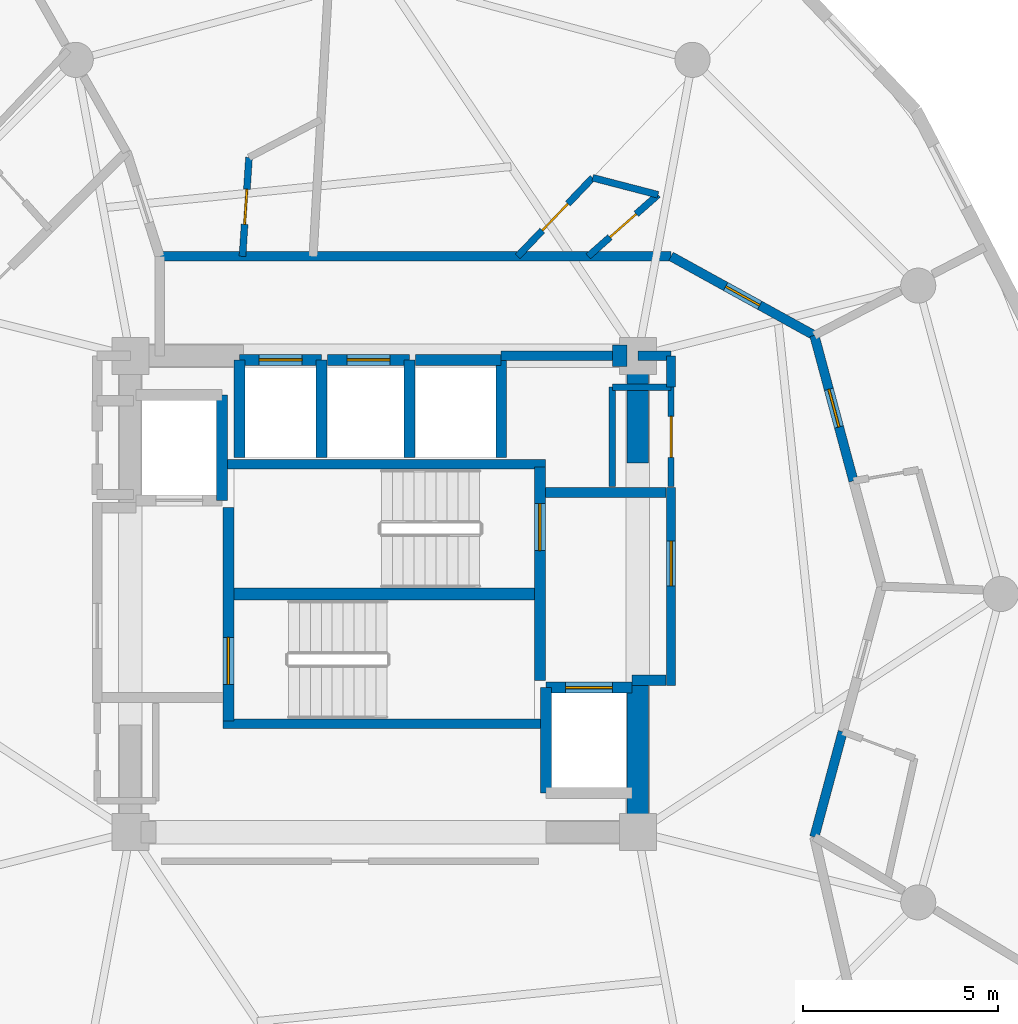
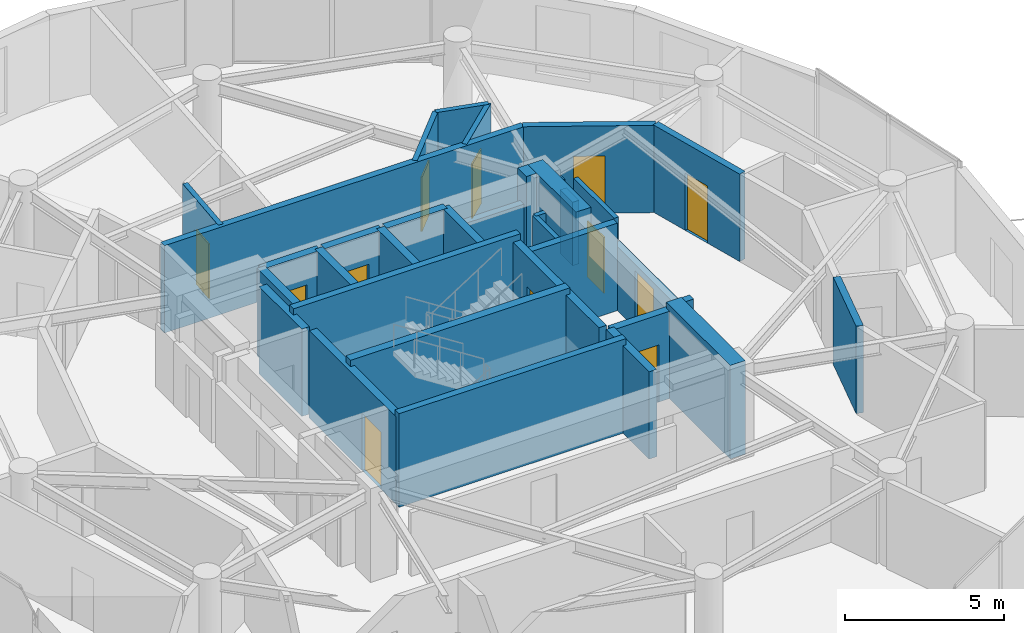
# One storey, part 18 of 21: 35 walls, 12 doors, 12 openings.
"""IFC4 building model written with IfcOpenShell, lengths in metres."""

from ifc_helpers import new_model, si_unit, direction, frame, frame_2d, origin, place, context, subcontext, project, spatial, rectangle, extrude, material, layer, layer_set, type_object, element, fill, save


model = new_model("IFC4")

# Units and contexts
model_context = context("Model", 3, precision=1e-05, world=origin(), true_north=direction((0.0, 1.0)))
body_context = subcontext(model_context, "Body", "Model", "MODEL_VIEW")
ifc_project = project(units=[si_unit("LENGTHUNIT", "METRE"), si_unit("AREAUNIT", "SQUARE_METRE"), si_unit("VOLUMEUNIT", "CUBIC_METRE"), si_unit("PLANEANGLEUNIT", "RADIAN"), si_unit("MASSUNIT", "GRAM", prefix="KILO")], contexts=[model_context])

# Site, building, storey
site_placement = place(None, origin())
site = spatial("IfcSite", under=ifc_project, at=site_placement, CompositionType="ELEMENT")
building_placement = place(site_placement, origin())
building = spatial("IfcBuilding", under=site, at=building_placement, Name="Solvirekh Grand Hotel", CompositionType="ELEMENT")
storey_placement = place(building_placement, frame((0.0, 0.0, 220.0)))
storey = spatial("IfcBuildingStorey", under=building, at=storey_placement, Name="L57", CompositionType="ELEMENT", Elevation=220.0)

# Walls
ifc_material_1 = material(Name="Concrete C50/60", Category="concrete")
ifc_layer_1 = layer(ifc_material_1, 0.35009765625)
ifc_layer_set_1 = layer_set([ifc_layer_1], Name="Concrete C50/60")
wall_type_1 = type_object("IfcWallType", Name="CoreDivWall_RC350", PredefinedType="SOLIDWALL", material=ifc_layer_set_1)
for number, where, z_axis, x_axis, name in (
    (1, (-4.1298828125, -3.324951171875, 0.0), (0.0, 0.0, 1.0), (1.0, 0.0, 0.0), "L57 core stair box wall ST-S"),
    (2, (-4.1298828125, 3.324951171875, 0.0), (0.0, 0.0, 1.0), (1.0, 0.0, 0.0), "L57 core stair box wall ST-N"),
):
    element("IfcWall", number, at=place(storey_placement, frame(where, z_axis=z_axis, x_axis=x_axis)), inside=storey, type_object=wall_type_1, Name=name, PredefinedType="SOLIDWALL", context=body_context, shape_type="SweptSolid", body=[
        extrude(rectangle(XDim=8.259765625, YDim=0.25, at=frame_2d((4.1298828125, 0.0))), origin(), (0.0, 0.0, 1.0), 3.60009765625),
    ])

# Wall, opening, door
ifc_material_2 = material(Name="Concrete C40/50", Category="concrete")
ifc_layer_2 = layer(ifc_material_2, 0.280029296875)
ifc_layer_set_2 = layer_set([ifc_layer_2], Name="Concrete C40/50")
wall_type_2 = type_object("IfcWallType", Name="CoreShaftWall_RC280", PredefinedType="SOLIDWALL", material=ifc_layer_set_2)
wall_1_placement = place(storey_placement, frame((-1.60009765625, 6.0, 0.0), z_axis=(0.0, 0.0, 1.0), x_axis=(-1.0, 0.0, 0.0)))
wall_1 = element("IfcWall", 3, at=wall_1_placement, inside=storey, type_object=wall_type_2, Name="L57 HP-1 hoistway N wall", PredefinedType="SOLIDWALL", context=body_context, shape_type="SweptSolid", body=[
    extrude(rectangle(XDim=2.099853515625, YDim=0.280029296875, at=frame_2d((1.0498046875, 0.0))), origin(), (0.0, 0.0, 1.0), 3.360107421875),
])
opening_1_placement = place(wall_1_placement, frame((0.5, 0.0, 0.0)))
opening_1 = element("IfcOpeningElement", 4, at=opening_1_placement, cuts=wall_1, Name="Opening LD01", PredefinedType="OPENING", context=body_context, shape_type="SweptSolid", body=[
    extrude(rectangle(XDim=1.10009765625, YDim=2.199951171875, at=frame_2d((0.550048828125, 1.10009765625))), frame((0.0, 0.14990234375, 0.0), z_axis=(0.0, -1.0, 0.0), x_axis=(1.0, 0.0, 0.0)), (0.0, 0.0, 1.0), 0.300048828125),
])
ifc_material_3 = material(Name="Fire-Rated Steel Door Assembly", Category="steel")
door_type_1 = type_object("IfcDoorType", Name="Door_LiftLanding_1100X2200", OperationType="SLIDING_TO_LEFT", PredefinedType="DOOR", material=ifc_material_3)
door_1_placement = place(opening_1_placement, origin())
door_1 = element("IfcDoor", 5, at=door_1_placement, inside=storey, type_object=door_type_1, Name="L57 HP-1 sliding lift landing door", OperationType="SLIDING_TO_LEFT", OverallHeight=2.199951171875, OverallWidth=1.10009765625, PredefinedType="DOOR", context=body_context, shape_type="SweptSolid", body=[
    extrude(rectangle(XDim=1.10009765625, YDim=2.199951171875, at=frame_2d((0.550048828125, 1.10009765625))), frame((0.0, 0.02490234375, 0.0), z_axis=(0.0, -1.0, 0.0), x_axis=(1.0, 0.0, 0.0)), (0.0, 0.0, 1.0), 0.050048828125),
])
fill(opening_1, door_1)

# Walls
for number, where, z_axis, x_axis, name in (
    (6, (-3.699951171875, 6.0, 0.0), (0.0, 0.0, 1.0), (0.0, -1.0, 0.0), "L57 HP-1 hoistway W wall"),
    (7, (-1.60009765625, 3.5, 0.0), (0.0, 0.0, 1.0), (0.0, 1.0, 0.0), "L57 HP-1 hoistway E wall"),
):
    element("IfcWall", number, at=place(storey_placement, frame(where, z_axis=z_axis, x_axis=x_axis)), inside=storey, type_object=wall_type_2, Name=name, PredefinedType="SOLIDWALL", context=body_context, shape_type="SweptSolid", body=[
        extrude(rectangle(XDim=2.5, YDim=0.280029296875, at=frame_2d((1.25, 0.0))), origin(), (0.0, 0.0, 1.0), 3.360107421875),
    ])

# Wall, opening, door
wall_2_placement = place(storey_placement, frame((0.64990234375, 6.0, 0.0), z_axis=(0.0, 0.0, 1.0), x_axis=(-1.0, 0.0, 0.0)))
wall_2 = element("IfcWall", 8, at=wall_2_placement, inside=storey, type_object=wall_type_2, Name="L57 HP-2 hoistway N wall", PredefinedType="SOLIDWALL", context=body_context, shape_type="SweptSolid", body=[
    extrude(rectangle(XDim=2.099853515625, YDim=0.280029296875, at=frame_2d((1.0498046875, 0.0))), origin(), (0.0, 0.0, 1.0), 3.360107421875),
])
opening_2_placement = place(wall_2_placement, frame((0.5, 0.0, 0.0)))
opening_2 = element("IfcOpeningElement", 9, at=opening_2_placement, cuts=wall_2, Name="Opening LD01", PredefinedType="OPENING", context=body_context, shape_type="SweptSolid", body=[
    extrude(rectangle(XDim=1.10009765625, YDim=2.199951171875, at=frame_2d((0.550048828125, 1.10009765625))), frame((0.0, 0.14990234375, 0.0), z_axis=(0.0, -1.0, 0.0), x_axis=(1.0, 0.0, 0.0)), (0.0, 0.0, 1.0), 0.300048828125),
])
door_2_placement = place(opening_2_placement, origin())
door_2 = element("IfcDoor", 10, at=door_2_placement, inside=storey, type_object=door_type_1, Name="L57 HP-2 sliding lift landing door", OperationType="SLIDING_TO_LEFT", OverallHeight=2.199951171875, OverallWidth=1.10009765625, PredefinedType="DOOR", context=body_context, shape_type="SweptSolid", body=[
    extrude(rectangle(XDim=1.10009765625, YDim=2.199951171875, at=frame_2d((0.550048828125, 1.10009765625))), frame((0.0, 0.02490234375, 0.0), z_axis=(0.0, -1.0, 0.0), x_axis=(1.0, 0.0, 0.0)), (0.0, 0.0, 1.0), 0.050048828125),
])
fill(opening_2, door_2)

# Walls
wall_3_placement = place(storey_placement, frame((0.64990234375, 3.5, 0.0), z_axis=(0.0, 0.0, 1.0), x_axis=(0.0, 1.0, 0.0)))
element("IfcWall", 11, at=wall_3_placement, inside=storey, type_object=wall_type_2, Name="L57 HP-2 hoistway E wall", PredefinedType="SOLIDWALL", context=body_context, shape_type="SweptSolid", body=[
    extrude(rectangle(XDim=2.5, YDim=0.280029296875, at=frame_2d((1.25, 0.0))), origin(), (0.0, 0.0, 1.0), 3.360107421875),
])
wall_4_placement = place(storey_placement, frame((3.0, 6.0, 0.0), z_axis=(0.0, 0.0, 1.0), x_axis=(-1.0, 0.0, 0.0)))
element("IfcWall", 12, at=wall_4_placement, inside=storey, type_object=wall_type_2, Name="L57 EX-1 hoistway N wall", PredefinedType="SOLIDWALL", context=body_context, shape_type="SweptSolid", body=[
    extrude(rectangle(XDim=2.199951171875, YDim=0.280029296875, at=frame_2d((1.10009765625, 0.0))), origin(), (0.0, 0.0, 1.0), 3.360107421875),
])
wall_5_placement = place(storey_placement, frame((3.0, 3.5, 0.0), z_axis=(0.0, 0.0, 1.0), x_axis=(0.0, 1.0, 0.0)))
element("IfcWall", 13, at=wall_5_placement, inside=storey, type_object=wall_type_2, Name="L57 EX-1 hoistway E wall", PredefinedType="SOLIDWALL", context=body_context, shape_type="SweptSolid", body=[
    extrude(rectangle(XDim=2.5, YDim=0.280029296875, at=frame_2d((1.25, 0.0))), origin(), (0.0, 0.0, 1.0), 3.360107421875),
])
wall_6_placement = place(storey_placement, frame((-4.14990234375, 2.39990234375, 0.0), z_axis=(0.0, 0.0, 1.0), x_axis=(0.0, 1.0, 0.0)))
element("IfcWall", 14, at=wall_6_placement, inside=storey, type_object=wall_type_2, Name="L57 FL-1 hoistway E wall", PredefinedType="SOLIDWALL", context=body_context, shape_type="SweptSolid", body=[
    extrude(rectangle(XDim=2.7001953125, YDim=0.280029296875, at=frame_2d((1.35009765625, 0.0))), origin(), (0.0, 0.0, 1.0), 3.360107421875),
])

# Wall, opening, door
wall_7_placement = place(storey_placement, frame((6.35009765625, -2.39990234375, 0.0), z_axis=(0.0, 0.0, 1.0), x_axis=(-1.0, 0.0, 0.0)))
wall_7 = element("IfcWall", 15, at=wall_7_placement, inside=storey, type_object=wall_type_2, Name="L57 FL-2 hoistway N wall", PredefinedType="SOLIDWALL", context=body_context, shape_type="SweptSolid", body=[
    extrude(rectangle(XDim=2.2001953125, YDim=0.280029296875, at=frame_2d((1.10009765625, 0.0))), origin(), (0.0, 0.0, 1.0), 3.360107421875),
])
opening_3_placement = place(wall_7_placement, frame((0.5, 0.0, 0.0)))
opening_3 = element("IfcOpeningElement", 16, at=opening_3_placement, cuts=wall_7, Name="Opening LD02", PredefinedType="OPENING", context=body_context, shape_type="SweptSolid", body=[
    extrude(rectangle(XDim=1.199951171875, YDim=2.199951171875, at=frame_2d((0.60009765625, 1.10009765625))), frame((0.0, 0.14990234375, 0.0), z_axis=(0.0, -1.0, 0.0), x_axis=(1.0, 0.0, 0.0)), (0.0, 0.0, 1.0), 0.300048828125),
])
door_type_2 = type_object("IfcDoorType", Name="Door_LiftFF_1200X2200", OperationType="SLIDING_TO_LEFT", PredefinedType="DOOR", material=ifc_material_3)
door_3_placement = place(opening_3_placement, origin())
door_3 = element("IfcDoor", 17, at=door_3_placement, inside=storey, type_object=door_type_2, Name="L57 FL-2 sliding lift landing door", OperationType="SLIDING_TO_LEFT", OverallHeight=2.199951171875, OverallWidth=1.199951171875, PredefinedType="DOOR", context=body_context, shape_type="SweptSolid", body=[
    extrude(rectangle(XDim=1.199951171875, YDim=2.199951171875, at=frame_2d((0.60009765625, 1.10009765625))), frame((0.0, 0.02490234375, 0.0), z_axis=(0.0, -1.0, 0.0), x_axis=(1.0, 0.0, 0.0)), (0.0, 0.0, 1.0), 0.050048828125),
])
fill(opening_3, door_3)

# Wall
wall_8_placement = place(storey_placement, frame((4.14990234375, -2.39990234375, 0.0), z_axis=(0.0, 0.0, 1.0), x_axis=(0.0, -1.0, 0.0)))
element("IfcWall", 18, at=wall_8_placement, inside=storey, type_object=wall_type_2, Name="L57 FL-2 hoistway W wall", PredefinedType="SOLIDWALL", context=body_context, shape_type="SweptSolid", body=[
    extrude(rectangle(XDim=2.7001953125, YDim=0.280029296875, at=frame_2d((1.35009765625, 0.0))), origin(), (0.0, 0.0, 1.0), 3.360107421875),
])

# Wall, opening, door
wall_9_placement = place(storey_placement, frame((-3.989990234375, -3.25, 0.0), z_axis=(0.0, 0.0, 1.0), x_axis=(0.0, 1.0, 0.0)))
wall_9 = element("IfcWall", 19, at=wall_9_placement, inside=storey, type_object=wall_type_2, Name="L57 west stair landing enclosure wall", PredefinedType="SOLIDWALL", context=body_context, shape_type="SweptSolid", body=[
    extrude(rectangle(XDim=5.4599609375, YDim=0.280029296875, at=frame_2d((2.72998046875, 0.0))), origin(), (0.0, 0.0, 1.0), 3.360107421875),
])
opening_4_placement = place(wall_9_placement, frame((0.93701171875, 0.0, 0.0)))
opening_4 = element("IfcOpeningElement", 20, at=opening_4_placement, cuts=wall_9, Name="Opening D05", PredefinedType="OPENING", context=body_context, shape_type="SweptSolid", body=[
    extrude(rectangle(XDim=1.199951171875, YDim=2.199951171875, at=frame_2d((0.60009765625, 1.10009765625))), frame((0.0, 0.14990234375, 0.0), z_axis=(0.0, -1.0, 0.0), x_axis=(1.0, 0.0, 0.0)), (0.0, 0.0, 1.0), 0.300048828125),
])
door_type_3 = type_object("IfcDoorType", Name="Door_StairCore_1200X2200", OperationType="NOTDEFINED", PredefinedType="DOOR", material=ifc_material_3)
door_4_placement = place(opening_4_placement, origin())
door_4 = element("IfcDoor", 21, at=door_4_placement, inside=storey, type_object=door_type_3, Name="L57 exit stair ST-1 fire door", OperationType="SINGLE_SWING_RIGHT", OverallHeight=2.199951171875, OverallWidth=1.199951171875, PredefinedType="DOOR", context=body_context, shape_type="SweptSolid", body=[
    extrude(rectangle(XDim=1.199951171875, YDim=2.199951171875, at=frame_2d((0.60009765625, 1.10009765625))), frame((0.0, 0.02490234375, 0.0), z_axis=(0.0, -1.0, 0.0), x_axis=(1.0, 0.0, 0.0)), (0.0, 0.0, 1.0), 0.050048828125),
])
fill(opening_4, door_4)

wall_10_placement = place(storey_placement, frame((3.989990234375, -2.2099609375, 0.0), z_axis=(0.0, 0.0, 1.0), x_axis=(0.0, 1.0, 0.0)))
wall_10 = element("IfcWall", 22, at=wall_10_placement, inside=storey, type_object=wall_type_2, Name="L57 east stair landing enclosure wall", PredefinedType="SOLIDWALL", context=body_context, shape_type="SweptSolid", body=[
    extrude(rectangle(XDim=5.4599609375, YDim=0.280029296875, at=frame_2d((2.72998046875, 0.0))), origin(), (0.0, 0.0, 1.0), 3.360107421875),
])
opening_5_placement = place(wall_10_placement, frame((3.322998046875, 0.0, 0.0)))
opening_5 = element("IfcOpeningElement", 23, at=opening_5_placement, cuts=wall_10, Name="Opening D05", PredefinedType="OPENING", context=body_context, shape_type="SweptSolid", body=[
    extrude(rectangle(XDim=1.199951171875, YDim=2.199951171875, at=frame_2d((0.60009765625, 1.10009765625))), frame((0.0, 0.14990234375, 0.0), z_axis=(0.0, -1.0, 0.0), x_axis=(1.0, 0.0, 0.0)), (0.0, 0.0, 1.0), 0.300048828125),
])
door_5_placement = place(opening_5_placement, origin())
door_5 = element("IfcDoor", 24, at=door_5_placement, inside=storey, type_object=door_type_3, Name="L57 exit stair ST-2 fire door", OperationType="SINGLE_SWING_LEFT", OverallHeight=2.199951171875, OverallWidth=1.199951171875, PredefinedType="DOOR", context=body_context, shape_type="SweptSolid", body=[
    extrude(rectangle(XDim=1.199951171875, YDim=2.199951171875, at=frame_2d((0.60009765625, 1.10009765625))), frame((0.0, 0.02490234375, 0.0), z_axis=(0.0, -1.0, 0.0), x_axis=(1.0, 0.0, 0.0)), (0.0, 0.0, 1.0), 0.050048828125),
])
fill(opening_5, door_5)

# Walls
ifc_layer_3 = layer(ifc_material_1, 0.550048828125)
ifc_layer_set_3 = layer_set([ifc_layer_3], Name="Concrete C50/60")
wall_type_3 = type_object("IfcWallType", Name="CoreWall_RC550", PredefinedType="SHEAR", material=ifc_layer_set_3)
wall_11_placement = place(storey_placement, frame((-3.989990234375, 0.0, 0.0), z_axis=(0.0, 0.0, 1.0), x_axis=(1.0, 0.0, 0.0)))
element("IfcWall", 25, at=wall_11_placement, inside=storey, type_object=wall_type_3, Name="L57 central stair-spine shear wall", PredefinedType="SHEAR", context=body_context, shape_type="SweptSolid", body=[
    extrude(rectangle(XDim=7.97998046875, YDim=0.300048828125, at=frame_2d((3.989990234375, 0.0))), origin(), (0.0, 0.0, 1.0), 3.60009765625),
])
wall_12_placement = place(storey_placement, frame((5.85009765625, 6.10009765625, 0.0), z_axis=(0.0, 0.0, 1.0), x_axis=(1.0, 0.0, 0.0)))
element("IfcWall", 26, at=wall_12_placement, inside=storey, type_object=wall_type_3, Name="L57 core corner shear wall NE-N", PredefinedType="SHEAR", context=body_context, shape_type="SweptSolid", body=[
    extrude(rectangle(XDim=0.375, YDim=0.550048828125, at=frame_2d((0.1875, 0.0))), origin(), (0.0, 0.0, 1.0), 3.60009765625),
])
wall_13_placement = place(storey_placement, frame((6.5, -6.375, 0.0), z_axis=(0.0, 0.0, 1.0), x_axis=(0.0, 1.0, 0.0)))
element("IfcWall", 27, at=wall_13_placement, inside=storey, type_object=wall_type_3, Name="L57 core corner shear wall ES-E", PredefinedType="SHEAR", context=body_context, shape_type="SweptSolid", body=[
    extrude(rectangle(XDim=4.02490234375, YDim=0.550048828125, at=frame_2d((2.012451171875, 0.0))), origin(), (0.0, 0.0, 1.0), 3.60009765625),
])
wall_14_placement = place(storey_placement, frame((6.5, 3.35009765625, 0.0), z_axis=(0.0, 0.0, 1.0), x_axis=(0.0, 1.0, 0.0)))
element("IfcWall", 28, at=wall_14_placement, inside=storey, type_object=wall_type_3, Name="L57 core corner shear wall EN-E", PredefinedType="SHEAR", context=body_context, shape_type="SweptSolid", body=[
    extrude(rectangle(XDim=3.02490234375, YDim=0.550048828125, at=frame_2d((1.512451171875, 0.0))), origin(), (0.0, 0.0, 1.0), 3.60009765625),
])

# Wall, opening, door
ifc_material_4 = material(Name="Acoustic Gypsum Partition Assembly")
ifc_layer_4 = layer(ifc_material_4, 0.1650390625)
ifc_layer_set_4 = layer_set([ifc_layer_4], Name="Acoustic Gypsum Partition Assembly")
wall_type_4 = type_object("IfcWallType", Name="Part_BOH_165", PredefinedType="PARTITIONING", material=ifc_layer_set_4)
wall_15_placement = place(storey_placement, frame((7.35009765625, 2.75, 0.0), z_axis=(0.0, 0.0, 1.0), x_axis=(0.0, 1.0, 0.0)))
wall_15 = element("IfcWall", 29, at=wall_15_placement, inside=storey, type_object=wall_type_4, Name="L57 L57 Telecom Distribution Room wall 2", PredefinedType="PARTITIONING", context=body_context, shape_type="SweptSolid", body=[
    extrude(rectangle(XDim=2.550048828125, YDim=0.1650390625, at=frame_2d((1.27490234375, 0.0))), origin(), (0.0, 0.0, 1.0), 3.360107421875),
])
opening_6_placement = place(wall_15_placement, frame((0.75, 0.0, 0.0)))
opening_6 = element("IfcOpeningElement", 30, at=opening_6_placement, cuts=wall_15, Name="Opening D12", PredefinedType="OPENING", context=body_context, shape_type="SweptSolid", body=[
    extrude(rectangle(XDim=1.050048828125, YDim=2.14990234375, at=frame_2d((0.52490234375, 1.074951171875))), frame((0.0, 0.092529296875, 0.0), z_axis=(0.0, -1.0, 0.0), x_axis=(1.0, 0.0, 0.0)), (0.0, 0.0, 1.0), 0.18505859375),
])
door_type_4 = type_object("IfcDoorType", Name="Door_PlantBOH_1050X2150", OperationType="NOTDEFINED", PredefinedType="DOOR", material=ifc_material_3)
door_6_placement = place(opening_6_placement, origin())
door_6 = element("IfcDoor", 31, at=door_6_placement, inside=storey, type_object=door_type_4, Name="L57 L57 Telecom Distribution Room door", OperationType="SINGLE_SWING_RIGHT", OverallHeight=2.14990234375, OverallWidth=1.050048828125, PredefinedType="DOOR", context=body_context, shape_type="SweptSolid", body=[
    extrude(rectangle(XDim=1.050048828125, YDim=2.14990234375, at=frame_2d((0.52490234375, 1.074951171875))), frame((0.0, 0.02490234375, 0.0), z_axis=(0.0, -1.0, 0.0), x_axis=(1.0, 0.0, 0.0)), (0.0, 0.0, 1.0), 0.050048828125),
])
fill(opening_6, door_6)

# Walls
wall_16_placement = place(storey_placement, frame((7.35009765625, 5.300048828125, 0.0), z_axis=(0.0, 0.0, 1.0), x_axis=(-1.0, 0.0, 0.0)))
element("IfcWall", 32, at=wall_16_placement, inside=storey, type_object=wall_type_4, Name="L57 L57 Telecom Distribution Room wall 3", PredefinedType="PARTITIONING", context=body_context, shape_type="SweptSolid", body=[
    extrude(rectangle(XDim=1.5, YDim=0.1650390625, at=frame_2d((0.75, 0.0))), origin(), (0.0, 0.0, 1.0), 2.445068359375),
])
wall_17_placement = place(storey_placement, frame((5.85009765625, 5.300048828125, 0.0), z_axis=(0.0, 0.0, 1.0), x_axis=(0.0, -1.0, 0.0)))
element("IfcWall", 33, at=wall_17_placement, inside=storey, type_object=wall_type_4, Name="L57 L57 Telecom Distribution Room wall 4", PredefinedType="PARTITIONING", context=body_context, shape_type="SweptSolid", body=[
    extrude(rectangle(XDim=2.550048828125, YDim=0.1650390625, at=frame_2d((1.27490234375, 0.0))), origin(), (0.0, 0.0, 1.0), 2.445068359375),
])

# Wall, opening, door
ifc_layer_5 = layer(ifc_material_4, 0.239990234375)
ifc_layer_set_5 = layer_set([ifc_layer_5], Name="Acoustic Gypsum Partition Assembly")
wall_type_5 = type_object("IfcWallType", Name="Part_Corridor_240", PredefinedType="PARTITIONING", material=ifc_layer_set_5)
wall_18_placement = place(storey_placement, frame((7.35009765625, -2.340087890625, 0.0), z_axis=(0.0, 0.0, 1.0), x_axis=(0.0, 1.0, 0.0)))
wall_18 = element("IfcWall", 34, at=wall_18_placement, inside=storey, type_object=wall_type_5, Name="L57 east firefighting lobby smoke screen wall", PredefinedType="PARTITIONING", context=body_context, shape_type="SweptSolid", body=[
    extrude(rectangle(XDim=5.070068359375, YDim=0.239990234375, at=frame_2d((2.53515625, 0.0))), origin(), (0.0, 0.0, 1.0), 2.445068359375),
])
opening_7_placement = place(wall_18_placement, frame((2.548095703125, 0.0, 0.0)))
opening_7 = element("IfcOpeningElement", 35, at=opening_7_placement, cuts=wall_18, Name="Opening D06", PredefinedType="OPENING", context=body_context, shape_type="SweptSolid", body=[
    extrude(rectangle(XDim=1.14990234375, YDim=2.199951171875, at=frame_2d((0.574951171875, 1.10009765625))), frame((0.0, 0.1298828125, 0.0), z_axis=(0.0, -1.0, 0.0), x_axis=(1.0, 0.0, 0.0)), (0.0, 0.0, 1.0), 0.260009765625),
])
door_type_5 = type_object("IfcDoorType", Name="Door_FFLobby_1150X2200", OperationType="NOTDEFINED", PredefinedType="DOOR", material=ifc_material_3)
door_7_placement = place(opening_7_placement, origin())
door_7 = element("IfcDoor", 36, at=door_7_placement, inside=storey, type_object=door_type_5, Name="L57 east firefighting lobby smoke door", OperationType="SINGLE_SWING_LEFT", OverallHeight=2.199951171875, OverallWidth=1.14990234375, PredefinedType="DOOR", context=body_context, shape_type="SweptSolid", body=[
    extrude(rectangle(XDim=1.14990234375, YDim=2.199951171875, at=frame_2d((0.574951171875, 1.10009765625))), frame((0.0, 0.02490234375, 0.0), z_axis=(0.0, -1.0, 0.0), x_axis=(1.0, 0.0, 0.0)), (0.0, 0.0, 1.0), 0.050048828125),
])
fill(opening_7, door_7)

# Walls
wall_19_placement = place(storey_placement, frame((-5.75, 8.64990234375, 0.0), z_axis=(0.0, 0.0, 1.0), x_axis=(1.0, 0.0, 0.0)))
element("IfcWall", 37, at=wall_19_placement, inside=storey, type_object=wall_type_5, Name="L57 north lift lobby enclosure wall", PredefinedType="PARTITIONING", context=body_context, shape_type="SweptSolid", body=[
    extrude(rectangle(XDim=13.10009765625, YDim=0.239990234375, at=frame_2d((6.550048828125, 0.0))), origin(), (0.0, 0.0, 1.0), 3.360107421875),
])
wall_20_placement = place(storey_placement, frame((3.0, 6.10009765625, 0.0), z_axis=(0.0, 0.0, 1.0), x_axis=(1.0, 0.0, 0.0)))
element("IfcWall", 38, at=wall_20_placement, inside=storey, type_object=wall_type_5, Name="L57 north core shaft infill wall", PredefinedType="PARTITIONING", context=body_context, shape_type="SweptSolid", body=[
    extrude(rectangle(XDim=2.85009765625, YDim=0.239990234375, at=frame_2d((1.425048828125, 0.0))), origin(), (0.0, 0.0, 1.0), 2.445068359375),
])
wall_21_placement = place(storey_placement, frame((7.35009765625, 5.300048828125, 0.0), z_axis=(0.0, 0.0, 1.0), x_axis=(0.0, 1.0, 0.0)))
element("IfcWall", 39, at=wall_21_placement, inside=storey, type_object=wall_type_5, Name="L57 NE core cheek closure wall", PredefinedType="PARTITIONING", context=body_context, shape_type="SweptSolid", body=[
    extrude(rectangle(XDim=0.800048828125, YDim=0.239990234375, at=frame_2d((0.39990234375, 0.0))), origin(), (0.0, 0.0, 1.0), 2.445068359375),
])
wall_22_placement = place(storey_placement, frame((6.5, 6.10009765625, 0.0), z_axis=(0.0, 0.0, 1.0), x_axis=(1.0, 0.0, 0.0)))
element("IfcWall", 40, at=wall_22_placement, inside=storey, type_object=wall_type_5, Name="L57 NE core corner tie wall", PredefinedType="PARTITIONING", context=body_context, shape_type="SweptSolid", body=[
    extrude(rectangle(XDim=0.85009765625, YDim=0.239990234375, at=frame_2d((0.425048828125, 0.0))), origin(), (0.0, 0.0, 1.0), 2.876953125),
])

# Wall, opening, door
wall_23_placement = place(storey_placement, frame((7.35009765625, 8.64990234375, 0.0), z_axis=(0.0, 0.0, 1.0), x_axis=(0.875674474849, -0.482901867979, 0.0)))
wall_23 = element("IfcWall", 41, at=wall_23_placement, inside=storey, type_object=wall_type_5, Name="L57 Deluxe Guestroom 5901 entrance wall", PredefinedType="PARTITIONING", context=body_context, shape_type="SweptSolid", body=[
    extrude(rectangle(XDim=4.193115234375, YDim=0.239990234375, at=frame_2d((2.0966796875, 0.0))), origin(), (0.0, 0.0, 1.0), 3.360107421875),
])
opening_8_placement = place(wall_23_placement, frame((1.596923828125, 0.0, 0.0)))
opening_8 = element("IfcOpeningElement", 42, at=opening_8_placement, cuts=wall_23, Name="Opening D07", PredefinedType="OPENING", context=body_context, shape_type="SweptSolid", body=[
    extrude(rectangle(XDim=1.0, YDim=2.199951171875, at=frame_2d((0.5, 1.10009765625))), frame((0.0, 0.1298828125, 0.0), z_axis=(0.0, -1.0, 0.0), x_axis=(1.0, 0.0, 0.0)), (0.0, 0.0, 1.0), 0.260009765625),
])
door_type_6 = type_object("IfcDoorType", Name="Door_GuestEntry_1000X2200", OperationType="NOTDEFINED", PredefinedType="DOOR", material=ifc_material_3)
door_8_placement = place(opening_8_placement, origin())
door_8 = element("IfcDoor", 43, at=door_8_placement, inside=storey, type_object=door_type_6, Name="L57 Deluxe Guestroom 5901 entrance door", OperationType="SINGLE_SWING_LEFT", OverallHeight=2.199951171875, OverallWidth=1.0, PredefinedType="DOOR", context=body_context, shape_type="SweptSolid", body=[
    extrude(rectangle(XDim=1.0, YDim=2.199951171875, at=frame_2d((0.5, 1.10009765625))), frame((0.0, 0.02490234375, 0.0), z_axis=(0.0, -1.0, 0.0), x_axis=(1.0, 0.0, 0.0)), (0.0, 0.0, 1.0), 0.050048828125),
])
fill(opening_8, door_8)

# Wall
wall_24_placement = place(storey_placement, frame((11.02197265625, -6.22509765625, 0.0), z_axis=(0.0, 0.0, 1.0), x_axis=(0.259760468719, 0.965673080753, 0.0)))
element("IfcWall", 44, at=wall_24_placement, inside=storey, type_object=wall_type_5, Name="L57 En-suite Bathroom 5904 corridor backing wall", PredefinedType="PARTITIONING", context=body_context, shape_type="SweptSolid", body=[
    extrude(rectangle(XDim=2.795166015625, YDim=0.239990234375, at=frame_2d((1.3974609375, 0.0))), origin(), (0.0, 0.0, 1.0), 3.360107421875),
])

# Wall, opening, door
wall_25_placement = place(storey_placement, frame((12.02392578125, 2.89794921875, 0.0), z_axis=(0.0, 0.0, 1.0), x_axis=(-0.259615016843, 0.965712194719, 0.0)))
wall_25 = element("IfcWall", 45, at=wall_25_placement, inside=storey, type_object=wall_type_5, Name="L57 Deluxe Guestroom 5905 entrance wall", PredefinedType="PARTITIONING", context=body_context, shape_type="SweptSolid", body=[
    extrude(rectangle(XDim=3.859375, YDim=0.239990234375, at=frame_2d((1.9296875, 0.0))), origin(), (0.0, 0.0, 1.0), 3.360107421875),
])
opening_9_placement = place(wall_25_placement, frame((1.429931640625, 0.0, 0.0)))
opening_9 = element("IfcOpeningElement", 46, at=opening_9_placement, cuts=wall_25, Name="Opening D07", PredefinedType="OPENING", context=body_context, shape_type="SweptSolid", body=[
    extrude(rectangle(XDim=1.0, YDim=2.199951171875, at=frame_2d((0.5, 1.10009765625))), frame((0.0, 0.1298828125, 0.0), z_axis=(0.0, -1.0, 0.0), x_axis=(1.0, 0.0, 0.0)), (0.0, 0.0, 1.0), 0.260009765625),
])
door_9_placement = place(opening_9_placement, origin())
door_9 = element("IfcDoor", 47, at=door_9_placement, inside=storey, type_object=door_type_6, Name="L57 Deluxe Guestroom 5905 entrance door", OperationType="SINGLE_SWING_RIGHT", OverallHeight=2.199951171875, OverallWidth=1.0, PredefinedType="DOOR", context=body_context, shape_type="SweptSolid", body=[
    extrude(rectangle(XDim=1.0, YDim=2.199951171875, at=frame_2d((0.5, 1.10009765625))), frame((0.0, 0.02490234375, 0.0), z_axis=(0.0, -1.0, 0.0), x_axis=(1.0, 0.0, 0.0)), (0.0, 0.0, 1.0), 0.050048828125),
])
fill(opening_9, door_9)

# Walls
ifc_layer_6 = layer(ifc_material_4, 0.260009765625)
ifc_layer_set_6 = layer_set([ifc_layer_6], Name="Acoustic Gypsum Partition Assembly")
wall_type_6 = type_object("IfcWallType", Name="Part_LobbyFF_260", PredefinedType="PARTITIONING", material=ifc_layer_set_6)
wall_26_placement = place(storey_placement, frame((6.35009765625, -2.2099609375, 0.0), z_axis=(0.0, 0.0, 1.0), x_axis=(1.0, 0.0, 0.0)))
element("IfcWall", 48, at=wall_26_placement, inside=storey, type_object=wall_type_6, Name="L57 east firefighting lobby SE cheek", PredefinedType="PARTITIONING", context=body_context, shape_type="SweptSolid", body=[
    extrude(rectangle(XDim=0.875, YDim=0.260009765625, at=frame_2d((0.4375, 0.0))), origin(), (0.0, 0.0, 1.0), 3.360107421875),
])
wall_27_placement = place(storey_placement, frame((4.1298828125, 2.60009765625, 0.0), z_axis=(0.0, 0.0, 1.0), x_axis=(1.0, 0.0, 0.0)))
element("IfcWall", 49, at=wall_27_placement, inside=storey, type_object=wall_type_6, Name="L57 east firefighting lobby north partition", PredefinedType="PARTITIONING", context=body_context, shape_type="SweptSolid", body=[
    extrude(rectangle(XDim=3.09521484375, YDim=0.260009765625, at=frame_2d((1.547607421875, 0.0))), origin(), (0.0, 0.0, 1.0), 3.360107421875),
])
ifc_layer_7 = layer(ifc_material_4, 0.175048828125)
ifc_layer_set_7 = layer_set([ifc_layer_7], Name="Acoustic Gypsum Partition Assembly")
wall_type_7 = type_object("IfcWallType", Name="Plumb_Ensuite_175", PredefinedType="PLUMBINGWALL", material=ifc_layer_set_7)
wall_28_placement = place(storey_placement, frame((5.342041015625, 10.6630859375, 0.0), z_axis=(0.0, 0.0, 1.0), x_axis=(0.967886377615, -0.251388066595, 0.0)))
element("IfcWall", 50, at=wall_28_placement, inside=storey, type_object=wall_type_7, Name="L57 En-suite Bathroom 5901 outer plumbing wall", PredefinedType="PLUMBINGWALL", context=body_context, shape_type="SweptSolid", body=[
    extrude(rectangle(XDim=1.730712890625, YDim=0.175048828125, at=frame_2d((0.865234375, 0.0))), origin(), (0.0, 0.0, 1.0), 3.360107421875),
])

# Wall, opening, door
wall_29_placement = place(storey_placement, frame((5.342041015625, 10.6630859375, 0.0), z_axis=(0.0, 0.0, 1.0), x_axis=(-0.690559187333, -0.723275887051, 0.0)))
wall_29 = element("IfcWall", 51, at=wall_29_placement, inside=storey, type_object=wall_type_7, Name="L57 En-suite Bathroom 5901 side plumbing wall", PredefinedType="PLUMBINGWALL", context=body_context, shape_type="SweptSolid", body=[
    extrude(rectangle(XDim=2.783447265625, YDim=0.175048828125, at=frame_2d((1.3916015625, 0.0))), origin(), (0.0, 0.0, 1.0), 3.360107421875),
])
opening_10_placement = place(wall_29_placement, frame((0.9169921875, 0.0, 0.0)))
opening_10 = element("IfcOpeningElement", 52, at=opening_10_placement, cuts=wall_29, Name="Opening D10", PredefinedType="OPENING", context=body_context, shape_type="SweptSolid", body=[
    extrude(rectangle(XDim=0.949951171875, YDim=2.10009765625, at=frame_2d((0.47509765625, 1.050048828125))), frame((0.0, 0.09765625, 0.0), z_axis=(0.0, -1.0, 0.0), x_axis=(1.0, 0.0, 0.0)), (0.0, 0.0, 1.0), 0.195068359375),
])
ifc_material_5 = material(Name="Anodized Bronze Aluminium 6063-T6", Category="aluminium")
door_type_7 = type_object("IfcDoorType", Name="Door_RoomInt_950X2100", OperationType="NOTDEFINED", PredefinedType="DOOR", material=ifc_material_5)
door_10_placement = place(opening_10_placement, origin())
door_10 = element("IfcDoor", 53, at=door_10_placement, inside=storey, type_object=door_type_7, Name="L57 Panorama Suite 5901 North Observatory Study master bedroom door", OperationType="SINGLE_SWING_RIGHT", OverallHeight=2.10009765625, OverallWidth=0.949951171875, PredefinedType="DOOR", context=body_context, shape_type="SweptSolid", body=[
    extrude(rectangle(XDim=0.949951171875, YDim=2.10009765625, at=frame_2d((0.47509765625, 1.050048828125))), frame((0.0, 0.02490234375, 0.0), z_axis=(0.0, -1.0, 0.0), x_axis=(1.0, 0.0, 0.0)), (0.0, 0.0, 1.0), 0.050048828125),
])
fill(opening_10, door_10)

wall_30_placement = place(storey_placement, frame((5.22802734375, 8.64990234375, 0.0), z_axis=(0.0, 0.0, 1.0), x_axis=(0.749933416173, 0.66151331907, 0.0)))
wall_30 = element("IfcWall", 54, at=wall_30_placement, inside=storey, type_object=wall_type_7, Name="L57 En-suite Bathroom 5901 entry plumbing wall", PredefinedType="PLUMBINGWALL", context=body_context, shape_type="SweptSolid", body=[
    extrude(rectangle(XDim=2.3857421875, YDim=0.175048828125, at=frame_2d((1.19287109375, 0.0))), origin(), (0.0, 0.0, 1.0), 3.360107421875),
])
opening_11_placement = place(wall_30_placement, frame((0.742919921875, 0.0, 0.0)))
opening_11 = element("IfcOpeningElement", 55, at=opening_11_placement, cuts=wall_30, Name="Opening D09", PredefinedType="OPENING", context=body_context, shape_type="SweptSolid", body=[
    extrude(rectangle(XDim=0.89990234375, YDim=2.10009765625, at=frame_2d((0.449951171875, 1.050048828125))), frame((0.0, 0.09765625, 0.0), z_axis=(0.0, -1.0, 0.0), x_axis=(1.0, 0.0, 0.0)), (0.0, 0.0, 1.0), 0.195068359375),
])
door_type_8 = type_object("IfcDoorType", Name="Door_Ensuite_900X2100", OperationType="NOTDEFINED", PredefinedType="DOOR", material=ifc_material_5)
door_11_placement = place(opening_11_placement, origin())
door_11 = element("IfcDoor", 56, at=door_11_placement, inside=storey, type_object=door_type_8, Name="L57 En-suite Bathroom 5901 door", OperationType="SINGLE_SWING_RIGHT", OverallHeight=2.10009765625, OverallWidth=0.89990234375, PredefinedType="DOOR", context=body_context, shape_type="SweptSolid", body=[
    extrude(rectangle(XDim=0.89990234375, YDim=2.10009765625, at=frame_2d((0.449951171875, 1.050048828125))), frame((0.0, 0.02490234375, 0.0), z_axis=(0.0, -1.0, 0.0), x_axis=(1.0, 0.0, 0.0)), (0.0, 0.0, 1.0), 0.050048828125),
])
fill(opening_11, door_11)

wall_31_placement = place(storey_placement, frame((-3.4609375, 11.18603515625, 0.0), z_axis=(0.0, 0.0, 1.0), x_axis=(-0.065702929533, -0.997839228058, 0.0)))
wall_31 = element("IfcWall", 57, at=wall_31_placement, inside=storey, type_object=wall_type_7, Name="L57 En-suite Bathroom 5902 entry plumbing wall", PredefinedType="PLUMBINGWALL", context=body_context, shape_type="SweptSolid", body=[
    extrude(rectangle(XDim=2.54150390625, YDim=0.175048828125, at=frame_2d((1.270751953125, 0.0))), origin(), (0.0, 0.0, 1.0), 3.360107421875),
])
opening_12_placement = place(wall_31_placement, frame((0.821044921875, 0.0, 0.0)))
opening_12 = element("IfcOpeningElement", 58, at=opening_12_placement, cuts=wall_31, Name="Opening D09", PredefinedType="OPENING", context=body_context, shape_type="SweptSolid", body=[
    extrude(rectangle(XDim=0.89990234375, YDim=2.10009765625, at=frame_2d((0.449951171875, 1.050048828125))), frame((0.0, 0.09765625, 0.0), z_axis=(0.0, -1.0, 0.0), x_axis=(1.0, 0.0, 0.0)), (0.0, 0.0, 1.0), 0.195068359375),
])
door_12_placement = place(opening_12_placement, origin())
door_12 = element("IfcDoor", 59, at=door_12_placement, inside=storey, type_object=door_type_8, Name="L57 En-suite Bathroom 5902 door", OperationType="SINGLE_SWING_LEFT", OverallHeight=2.10009765625, OverallWidth=0.89990234375, PredefinedType="DOOR", context=body_context, shape_type="SweptSolid", body=[
    extrude(rectangle(XDim=0.89990234375, YDim=2.10009765625, at=frame_2d((0.449951171875, 1.050048828125))), frame((0.0, 0.02490234375, 0.0), z_axis=(0.0, -1.0, 0.0), x_axis=(1.0, 0.0, 0.0)), (0.0, 0.0, 1.0), 0.050048828125),
])
fill(opening_12, door_12)

save(model, "model.ifc")
